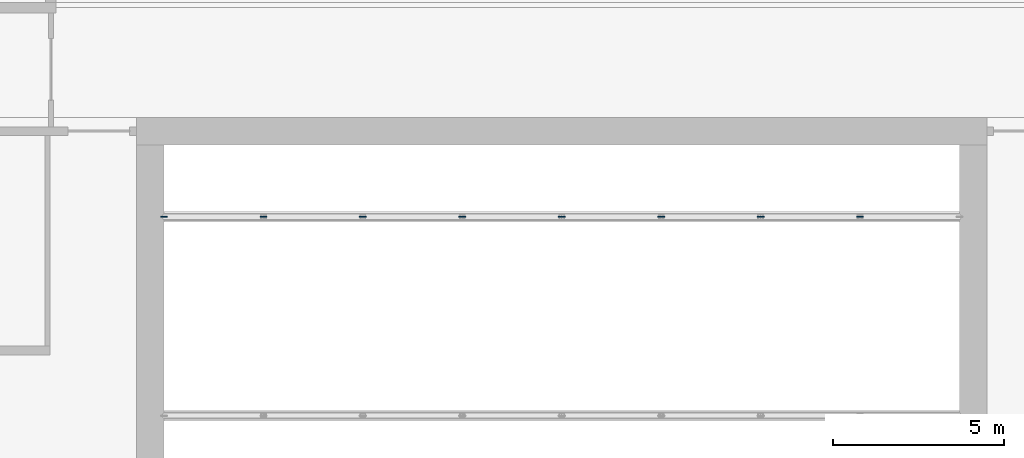
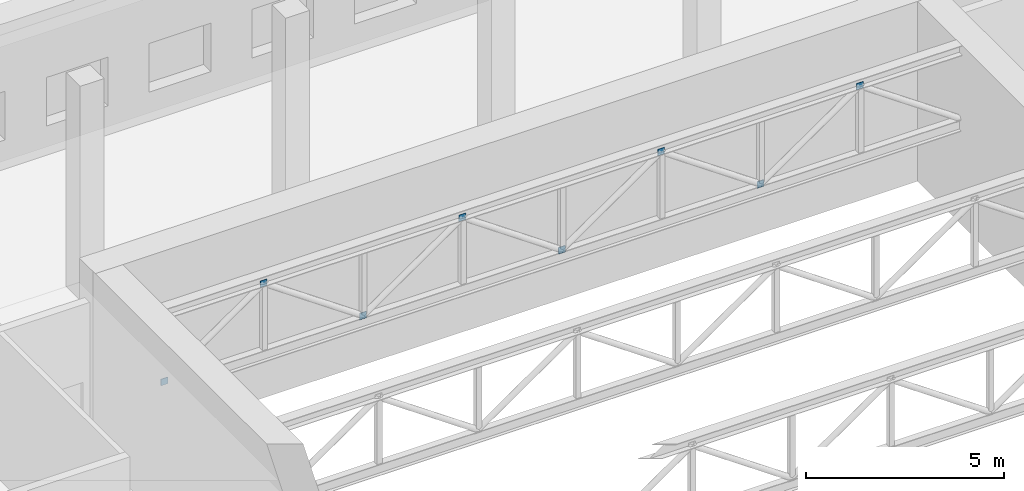
# One storey, part 14 of 35: 8 plates.
"""IFC4 building model written with IfcOpenShell, lengths in metres."""

from ifc_helpers import new_model, si_unit, direction, frame, origin, origin_2d, place, context, subcontext, project, spatial, rectangle, extrude, material, layer, layer_set, type_object, element, save


model = new_model("IFC4")

# Units and contexts
model_context = context("Model", 3, precision=1e-05, world=origin(), true_north=direction((0.0, 1.0)))
body_context = subcontext(model_context, "Body", "Model", "MODEL_VIEW")
ifc_project = project(units=[si_unit("LENGTHUNIT", "METRE"), si_unit("AREAUNIT", "SQUARE_METRE"), si_unit("VOLUMEUNIT", "CUBIC_METRE"), si_unit("PLANEANGLEUNIT", "RADIAN"), si_unit("MASSUNIT", "GRAM", prefix="KILO")], contexts=[model_context])

# Site, building, storey
site_placement = place(None, origin())
site = spatial("IfcSite", under=ifc_project, at=site_placement, CompositionType="ELEMENT")
building_placement = place(site_placement, origin())
building = spatial("IfcBuilding", under=site, at=building_placement, Name="Kiln Ring Residences", CompositionType="ELEMENT")
storey_placement = place(building_placement, frame((0.0, 0.0, 20.89990234375)))
storey = spatial("IfcBuildingStorey", under=building, at=storey_placement, Name="L04", CompositionType="ELEMENT", Elevation=20.89990234375)

# Plates
ifc_material = material(Name="Steel S460", Category="steel")
ifc_layer = layer(ifc_material, 0.02001953125)
ifc_layer_set = layer_set([ifc_layer], Name="Brace gusset plate 20")
plate_type = type_object("IfcPlateType", Name="Brace gusset plate 20", PredefinedType="SHEET", material=ifc_layer_set)
for number, where, z_axis, x_axis, name in (
    (1, (-11.60009765625, -127.300048828125, 3.125), (0.0, 0.0, 1.0), (1.0, 0.0, 0.0), "Brace gusset plate 6.0"),
    (2, (-8.699951171875, -127.300048828125, 5.14208984375), (0.0, 0.0, 1.0), (1.0, 0.0, 0.0), "Brace gusset plate 6.1"),
    (3, (-5.800048828125, -127.300048828125, 3.125), (0.0, 0.0, 1.0), (1.0, 0.0, 0.0), "Brace gusset plate 6.2"),
    (4, (-2.89990234375, -127.300048828125, 5.14208984375), (0.0, 0.0, 1.0), (1.0, 0.0, 0.0), "Brace gusset plate 6.3"),
    (5, (0.0, -127.300048828125, 3.125), (0.0, 0.0, 1.0), (1.0, 0.0, 0.0), "Brace gusset plate 6.4"),
    (6, (2.89990234375, -127.300048828125, 5.14208984375), (0.0, 0.0, 1.0), (1.0, 0.0, 0.0), "Brace gusset plate 6.5"),
    (7, (5.800048828125, -127.300048828125, 3.125), (0.0, 0.0, 1.0), (1.0, 0.0, 0.0), "Brace gusset plate 6.6"),
    (8, (8.699951171875, -127.300048828125, 5.14208984375), (0.0, 0.0, 1.0), (1.0, 0.0, 0.0), "Brace gusset plate 6.7"),
):
    element("IfcPlate", number, at=place(storey_placement, frame(where, z_axis=z_axis, x_axis=x_axis)), inside=storey, type_object=plate_type, Name=name, PredefinedType="SHEET", context=body_context, shape_type="SweptSolid", body=[
        extrude(rectangle(XDim=0.199951171875, YDim=0.02001953125, at=origin_2d()), origin(), (0.0, 0.0, 1.0), 0.199951171875),
    ])

save(model, "model.ifc")
